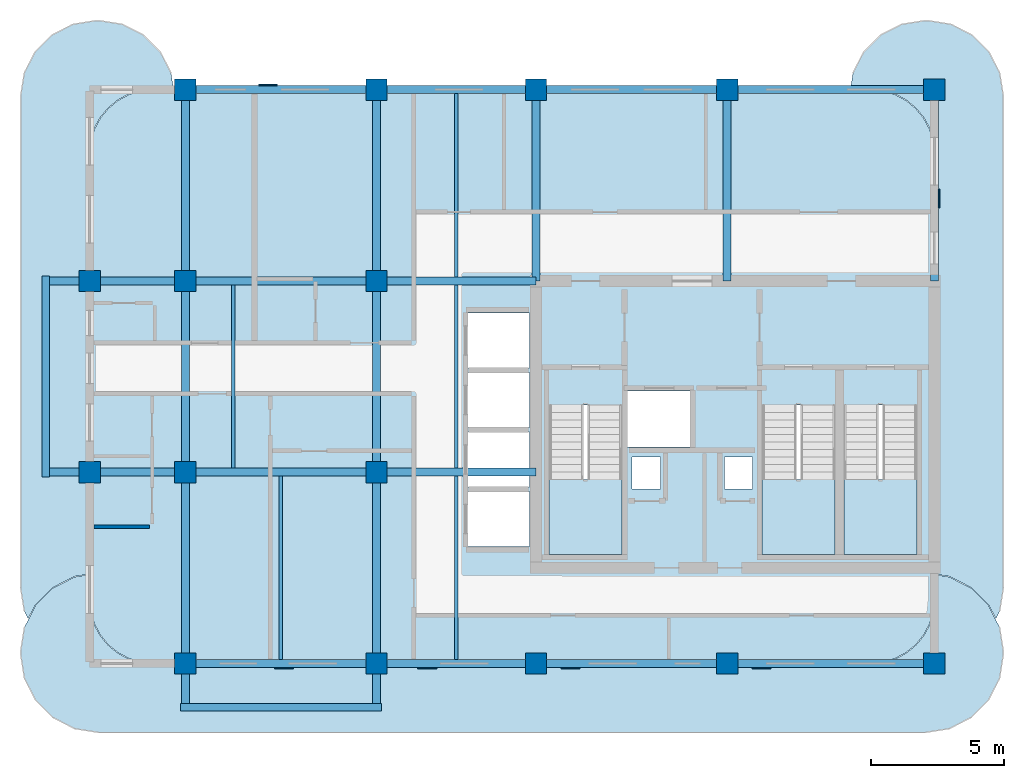
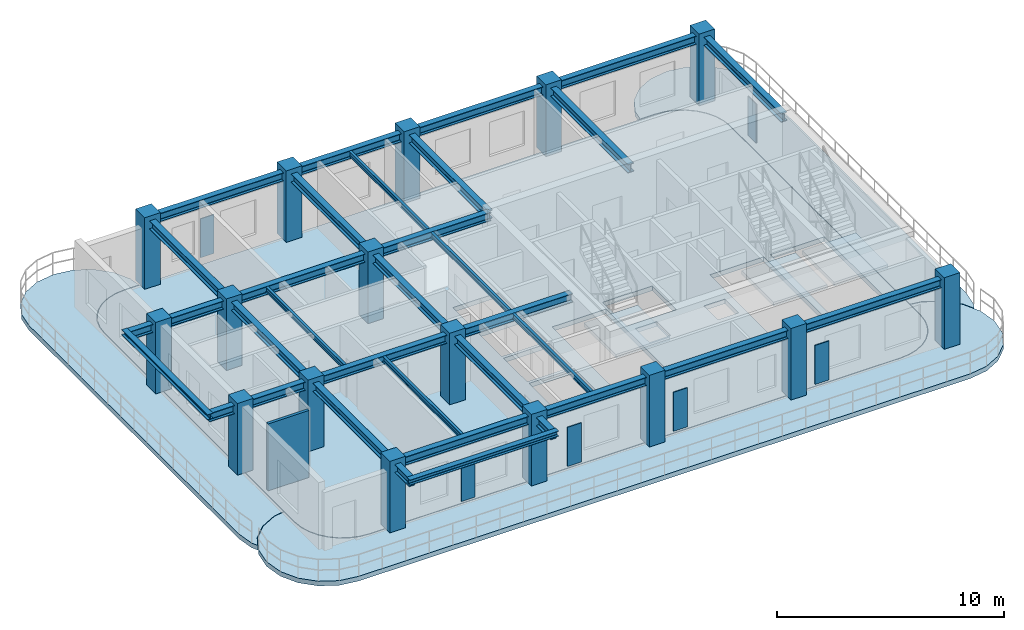
# One storey, part 1 of 7: 28 beams, 16 columns, 7 slabs, 6 plates, 1 wall, 3 elements without a shape of their own.
"""IFC4 building model written with IfcOpenShell, lengths in metres."""

from ifc_helpers import new_model, si_unit, derived_unit, direction, frame, frame_2d, origin, origin_2d, place, context, subcontext, project, spatial, polyline, rectangle, i_section, outline, extrude, source, transform, mapped, material, layer, layer_set, material_profile, profile_set, type_object, type_shapes, element, aggregate, save


model = new_model("IFC4")

# Units and contexts
model_context = context("Model", 3, precision=1e-05, world=origin(), true_north=direction((0.0, 1.0)))
body_context = subcontext(model_context, "Body", "Model", "MODEL_VIEW")
ifc_project = project(units=[si_unit("LENGTHUNIT", "METRE"), si_unit("AREAUNIT", "SQUARE_METRE"), si_unit("VOLUMEUNIT", "CUBIC_METRE"), si_unit("PLANEANGLEUNIT", "RADIAN"), si_unit("MASSUNIT", "GRAM", prefix="KILO"), si_unit("THERMODYNAMICTEMPERATUREUNIT", "KELVIN"), si_unit("POWERUNIT", "WATT"), derived_unit("THERMALTRANSMITTANCEUNIT", [(si_unit("POWERUNIT", "WATT"), 1), (si_unit("AREAUNIT", "SQUARE_METRE"), -1), (si_unit("THERMODYNAMICTEMPERATUREUNIT", "KELVIN"), -1)])], contexts=[model_context])

# Site, building, storey
site_placement = place(None, origin())
site = spatial("IfcSite", under=ifc_project, at=site_placement, CompositionType="ELEMENT")
building_placement = place(site_placement, origin())
building = spatial("IfcBuilding", under=site, at=building_placement, Name="Zahravan Archway Hotel and Residences", CompositionType="ELEMENT")
storey_placement = place(building_placement, frame((0.0, 0.0, 255.800048828125)))
storey = spatial("IfcBuildingStorey", under=building, at=storey_placement, Name="L64", CompositionType="ELEMENT", Elevation=255.800048828125)

# Columns
ifc_material_1 = material(Name="Concrete C50/60", Category="concrete")
ifc_material_profile_1 = material_profile(ifc_material_1, rectangle(XDim=0.800048828125, YDim=0.800048828125, at=origin_2d()), Name="RC-COL-800x800", Category="concrete")
ifc_profile_set_1 = profile_set([ifc_material_profile_1], Name="Concrete C50/60")
column_type = type_object("IfcColumnType", Name="COL-RC-800", PredefinedType="COLUMN", material=ifc_profile_set_1)
shared_shape_1 = source(origin(), body_context, "Body", "SweptSolid", [
    extrude(rectangle(XDim=0.800048828125, YDim=0.800048828125, at=origin_2d()), origin(), (0.0, 0.0, 1.0), 3.849853515625),
])
for number, where, z_axis, x_axis, name in (
    (1, (21.60009765625, 0.0, 0.0), (0.0, 0.0, 1.0), (1.0, 0.0, 0.0), "L64 Column 4-A"),
    (2, (21.60009765625, 7.199951171875, 0.0), (0.0, 0.0, 1.0), (1.0, 0.0, 0.0), "L64 Column 4-B"),
    (3, (21.60009765625, 14.39990234375, 0.0), (0.0, 0.0, 1.0), (1.0, 0.0, 0.0), "L64 Column 4-C"),
    (4, (21.60009765625, 21.60009765625, 0.0), (0.0, 0.0, 1.0), (1.0, 0.0, 0.0), "L64 Column 4-D"),
    (5, (28.800048828125, 0.0, 0.0), (0.0, 0.0, 1.0), (1.0, 0.0, 0.0), "L64 Column 5-A"),
    (6, (28.800048828125, 7.199951171875, 0.0), (0.0, 0.0, 1.0), (1.0, 0.0, 0.0), "L64 Column 5-B"),
    (7, (28.800048828125, 14.39990234375, 0.0), (0.0, 0.0, 1.0), (1.0, 0.0, 0.0), "L64 Column 5-C"),
    (8, (28.800048828125, 21.60009765625, 0.0), (0.0, 0.0, 1.0), (1.0, 0.0, 0.0), "L64 Column 5-D"),
    (9, (34.800048828125, 0.0, 0.0), (0.0, 0.0, 1.0), (1.0, 0.0, 0.0), "L64 Column 6-A"),
    (10, (34.800048828125, 21.60009765625, 0.0), (0.0, 0.0, 1.0), (1.0, 0.0, 0.0), "L64 Column 6-D"),
    (11, (42.0, 0.0, 0.0), (0.0, 0.0, 1.0), (1.0, 0.0, 0.0), "L64 Column 7-A"),
    (12, (42.0, 21.60009765625, 0.0), (0.0, 0.0, 1.0), (1.0, 0.0, 0.0), "L64 Column 7-D"),
    (13, (49.800048828125, 0.0, 0.0), (0.0, 0.0, 1.0), (1.0, 0.0, 0.0), "L64 Column 8-A"),
    (14, (49.800048828125, 21.60009765625, 0.0), (0.0, 0.0, 1.0), (1.0, 0.0, 0.0), "L64 Column 8-D"),
    (15, (18.0, 7.199951171875, 0.0), (0.0, 0.0, 1.0), (1.0, 0.0, 0.0), "L64 Column 3W-B"),
    (16, (18.0, 14.39990234375, 0.0), (0.0, 0.0, 1.0), (1.0, 0.0, 0.0), "L64 Column 3W-C"),
):
    element("IfcColumn", number, at=place(storey_placement, frame(where, z_axis=z_axis, x_axis=x_axis)), inside=storey, type_object=column_type, Name=name, PredefinedType="COLUMN", context=body_context, shape_type="MappedRepresentation", body=[
        mapped(shared_shape_1, transform((0.0, 0.0, 0.0), scale=1.0)),
    ])

# Beams
ifc_material_2 = material(Name="Structural Steel S355JR", Category="steel")
ifc_material_profile_2 = material_profile(ifc_material_2, i_section(OverallWidth=0.280029296875, OverallDepth=0.280029296875, WebThickness=0.010498046875, FlangeThickness=0.01806640625, FilletRadius=0.02392578125, at=origin_2d()), Name="HEB 280", Category="steel")
ifc_profile_set_2 = profile_set([ifc_material_profile_2], Name="Structural Steel S355JR")
beam_type_1 = type_object("IfcBeamType", Name="BM-SPN-HEB280", PredefinedType="SPANDREL", material=ifc_profile_set_2)
shared_shape_2 = source(origin(), body_context, "Body", "SweptSolid", [
    extrude(i_section(OverallWidth=0.280029296875, OverallDepth=0.280029296875, WebThickness=0.010498046875, FlangeThickness=0.01806640625, FilletRadius=0.02392578125, at=origin_2d()), origin(), (0.0, 0.0, 1.0), 7.56005859375),
])
type_shapes(beam_type_1, [shared_shape_2])
for number, where, z_axis, x_axis, name in (
    (17, (16.35009765625, 7.02001953125, 3.4599609375), (0.0, 1.0, 0.0), (-1.0, 0.0, 0.0), "L65 WA Balcony Edge Spandrel"),
    (18, (21.419921875, -1.64990234375, 3.4599609375), (1.0, 0.0, 0.0), (0.0, 1.0, 0.0), "L65 SA Balcony Edge Spandrel"),
):
    element("IfcBeam", number, at=place(storey_placement, frame(where, z_axis=z_axis, x_axis=x_axis)), inside=storey, type_object=beam_type_1, Name=name, PredefinedType="SPANDREL", context=body_context, shape_type="MappedRepresentation", body=[
        mapped(shared_shape_2, transform((0.0, 0.0, 0.0), scale=1.0)),
    ])
ifc_material_profile_3 = material_profile(ifc_material_2, i_section(OverallWidth=0.300048828125, OverallDepth=0.449951171875, WebThickness=0.013916015625, FlangeThickness=0.02587890625, FilletRadius=0.027099609375, at=origin_2d()), Name="HEB 450", Category="steel")
ifc_profile_set_3 = profile_set([ifc_material_profile_3], Name="Structural Steel S355JR")
beam_type_2 = type_object("IfcBeamType", Name="BM-PRI-HEB450", PredefinedType="BEAM", material=ifc_profile_set_3)
shared_shape_3 = source(origin(), body_context, "Body", "SweptSolid", [
    extrude(i_section(OverallWidth=0.300048828125, OverallDepth=0.449951171875, WebThickness=0.013916015625, FlangeThickness=0.02587890625, FilletRadius=0.027099609375, at=origin_2d()), origin(), (0.0, 0.0, 1.0), 7.2001953125),
])
type_shapes(beam_type_2, [shared_shape_3])
for number, where, z_axis, x_axis, name in (
    (19, (21.60009765625, 14.39990234375, 3.375), (0.0, 1.0, 0.0), (-1.0, 0.0, 0.0), "L64 Primary Girder NS-15"),
    (20, (28.800048828125, 14.39990234375, 3.375), (0.0, 1.0, 0.0), (-1.0, 0.0, 0.0), "L64 Primary Girder NS-18"),
    (21, (34.800048828125, 14.39990234375, 3.375), (0.0, 1.0, 0.0), (-1.0, 0.0, 0.0), "L64 Primary Girder NS-19"),
    (22, (42.0, 14.39990234375, 3.375), (0.0, 1.0, 0.0), (-1.0, 0.0, 0.0), "L64 Primary Girder NS-20"),
    (23, (49.800048828125, 14.39990234375, 3.375), (0.0, 1.0, 0.0), (-1.0, 0.0, 0.0), "L64 Primary Girder NS-21"),
):
    element("IfcBeam", number, at=place(storey_placement, frame(where, z_axis=z_axis, x_axis=x_axis)), inside=storey, type_object=beam_type_2, Name=name, PredefinedType="BEAM", context=body_context, shape_type="MappedRepresentation", body=[
        mapped(shared_shape_3, transform((0.0, 0.0, 0.0), scale=1.0)),
    ])
shared_shape_4 = source(origin(), body_context, "Body", "SweptSolid", [
    extrude(i_section(OverallWidth=0.300048828125, OverallDepth=0.449951171875, WebThickness=0.013916015625, FlangeThickness=0.02587890625, FilletRadius=0.027099609375, at=origin_2d()), origin(), (0.0, 0.0, 1.0), 7.199951171875),
])
for number, where, z_axis, x_axis, name in (
    (24, (21.60009765625, 0.0, 3.375), (1.0, 0.0, 0.0), (0.0, 1.0, 0.0), "L64 Primary Girder EW-01"),
    (25, (34.800048828125, 0.0, 3.375), (1.0, 0.0, 0.0), (0.0, 1.0, 0.0), "L64 Primary Girder EW-03"),
    (26, (21.60009765625, 21.60009765625, 3.375), (1.0, 0.0, 0.0), (0.0, 1.0, 0.0), "L64 Primary Girder EW-09"),
    (27, (34.800048828125, 21.60009765625, 3.375), (1.0, 0.0, 0.0), (0.0, 1.0, 0.0), "L64 Primary Girder EW-11"),
    (28, (21.60009765625, 7.199951171875, 3.375), (0.0, 1.0, 0.0), (-1.0, 0.0, 0.0), "L64 Primary Girder NS-14"),
    (29, (28.800048828125, 7.199951171875, 3.375), (0.0, 1.0, 0.0), (-1.0, 0.0, 0.0), "L64 Primary Girder NS-17"),
):
    element("IfcBeam", number, at=place(storey_placement, frame(where, z_axis=z_axis, x_axis=x_axis)), inside=storey, type_object=beam_type_2, Name=name, PredefinedType="BEAM", context=body_context, shape_type="MappedRepresentation", body=[
        mapped(shared_shape_4, transform((0.0, 0.0, 0.0), scale=1.0)),
    ])
shared_shape_5 = source(origin(), body_context, "Body", "SweptSolid", [
    extrude(i_section(OverallWidth=0.300048828125, OverallDepth=0.449951171875, WebThickness=0.013916015625, FlangeThickness=0.02587890625, FilletRadius=0.027099609375, at=origin_2d()), origin(), (0.0, 0.0, 1.0), 6.0),
])
for number, where, z_axis, x_axis, name in (
    (30, (28.800048828125, 0.0, 3.375), (1.0, 0.0, 0.0), (0.0, 1.0, 0.0), "L64 Primary Girder EW-02"),
    (31, (28.800048828125, 7.199951171875, 3.375), (1.0, 0.0, 0.0), (0.0, 1.0, 0.0), "L64 Primary Girder EW-06"),
    (32, (28.800048828125, 14.39990234375, 3.375), (1.0, 0.0, 0.0), (0.0, 1.0, 0.0), "L64 Primary Girder EW-08"),
    (33, (28.800048828125, 21.60009765625, 3.375), (1.0, 0.0, 0.0), (0.0, 1.0, 0.0), "L64 Primary Girder EW-10"),
):
    element("IfcBeam", number, at=place(storey_placement, frame(where, z_axis=z_axis, x_axis=x_axis)), inside=storey, type_object=beam_type_2, Name=name, PredefinedType="BEAM", context=body_context, shape_type="MappedRepresentation", body=[
        mapped(shared_shape_5, transform((0.0, 0.0, 0.0), scale=1.0)),
    ])
shared_shape_6 = source(origin(), body_context, "Body", "SweptSolid", [
    extrude(i_section(OverallWidth=0.300048828125, OverallDepth=0.449951171875, WebThickness=0.013916015625, FlangeThickness=0.02587890625, FilletRadius=0.027099609375, at=origin_2d()), origin(), (0.0, 0.0, 1.0), 7.800048828125),
])
for number, where, z_axis, x_axis, name in (
    (34, (42.0, 0.0, 3.375), (1.0, 0.0, 0.0), (0.0, 1.0, 0.0), "L64 Primary Girder EW-04"),
    (35, (42.0, 21.60009765625, 3.375), (1.0, 0.0, 0.0), (0.0, 1.0, 0.0), "L64 Primary Girder EW-12"),
):
    element("IfcBeam", number, at=place(storey_placement, frame(where, z_axis=z_axis, x_axis=x_axis)), inside=storey, type_object=beam_type_2, Name=name, PredefinedType="BEAM", context=body_context, shape_type="MappedRepresentation", body=[
        mapped(shared_shape_6, transform((0.0, 0.0, 0.0), scale=1.0)),
    ])
ifc_material_profile_4 = material_profile(ifc_material_2, i_section(OverallWidth=0.135009765625, OverallDepth=0.27001953125, WebThickness=0.006591796875, FlangeThickness=0.01025390625, FilletRadius=0.014892578125, at=origin_2d()), Name="IPE 270", Category="steel")
ifc_profile_set_4 = profile_set([ifc_material_profile_4], Name="Structural Steel S355JR")
beam_type_3 = type_object("IfcBeamType", Name="BM-JST-IPE270", PredefinedType="JOIST", material=ifc_profile_set_4)
shared_shape_7 = source(origin(), body_context, "Body", "SweptSolid", [
    extrude(i_section(OverallWidth=0.135009765625, OverallDepth=0.27001953125, WebThickness=0.006591796875, FlangeThickness=0.01025390625, FilletRadius=0.014892578125, at=origin_2d()), origin(), (0.0, 0.0, 1.0), 6.904052734375),
])
type_shapes(beam_type_3, [shared_shape_7])
for number, where, z_axis, x_axis, name in (
    (36, (25.199951171875, 0.14794921875, 3.46484375), (0.0, 1.0, 0.0), (-1.0, 0.0, 0.0), "L64 Composite Floor Joist 01"),
    (37, (31.800048828125, 0.14794921875, 3.46484375), (0.0, 1.0, 0.0), (-1.0, 0.0, 0.0), "L64 Composite Floor Joist 02"),
    (38, (23.39990234375, 7.347900390625, 3.46484375), (0.0, 1.0, 0.0), (-1.0, 0.0, 0.0), "L64 Composite Floor Joist 03"),
    (39, (31.800048828125, 7.347900390625, 3.46484375), (0.0, 1.0, 0.0), (-1.0, 0.0, 0.0), "L64 Composite Floor Joist 04"),
):
    element("IfcBeam", number, at=place(storey_placement, frame(where, z_axis=z_axis, x_axis=x_axis)), inside=storey, type_object=beam_type_3, Name=name, PredefinedType="JOIST", context=body_context, shape_type="MappedRepresentation", body=[
        mapped(shared_shape_7, transform((0.0, 0.0, 0.0), scale=1.0)),
    ])
shared_shape_8 = source(origin(), body_context, "Body", "SweptSolid", [
    extrude(i_section(OverallWidth=0.135009765625, OverallDepth=0.27001953125, WebThickness=0.006591796875, FlangeThickness=0.01025390625, FilletRadius=0.014892578125, at=origin_2d()), origin(), (0.0, 0.0, 1.0), 6.90380859375),
])
beam_placement = place(storey_placement, frame((31.800048828125, 14.548095703125, 3.46484375), z_axis=(0.0, 1.0, 0.0), x_axis=(-1.0, 0.0, 0.0)))
element("IfcBeam", 40, at=beam_placement, inside=storey, type_object=beam_type_3, Name="L64 Composite Floor Joist 05", PredefinedType="JOIST", context=body_context, shape_type="MappedRepresentation", body=[
    mapped(shared_shape_8, transform((0.0, 0.0, 0.0), scale=1.0)),
])
shared_shape_9 = source(origin(), body_context, "Body", "SweptSolid", [
    extrude(i_section(OverallWidth=0.300048828125, OverallDepth=0.449951171875, WebThickness=0.013916015625, FlangeThickness=0.02587890625, FilletRadius=0.027099609375, at=origin_2d()), origin(), (0.0, 0.0, 1.0), 8.849853515625),
])
for number, where, z_axis, x_axis, name in (
    (41, (21.60009765625, -1.64990234375, 3.375), (0.0, 1.0, 0.0), (-1.0, 0.0, 0.0), "L64 Primary Girder NS-13"),
    (42, (28.800048828125, -1.64990234375, 3.375), (0.0, 1.0, 0.0), (-1.0, 0.0, 0.0), "L64 Primary Girder NS-16"),
):
    element("IfcBeam", number, at=place(storey_placement, frame(where, z_axis=z_axis, x_axis=x_axis)), inside=storey, type_object=beam_type_2, Name=name, PredefinedType="BEAM", context=body_context, shape_type="MappedRepresentation", body=[
        mapped(shared_shape_9, transform((0.0, 0.0, 0.0), scale=1.0)),
    ])
shared_shape_10 = source(origin(), body_context, "Body", "SweptSolid", [
    extrude(i_section(OverallWidth=0.300048828125, OverallDepth=0.449951171875, WebThickness=0.013916015625, FlangeThickness=0.02587890625, FilletRadius=0.027099609375, at=origin_2d()), origin(), (0.0, 0.0, 1.0), 12.449951171875),
])
for number, where, z_axis, x_axis, name in (
    (43, (16.35009765625, 7.199951171875, 3.375), (1.0, 0.0, 0.0), (0.0, 1.0, 0.0), "L64 Primary Girder EW-05"),
    (44, (16.35009765625, 14.39990234375, 3.375), (1.0, 0.0, 0.0), (0.0, 1.0, 0.0), "L64 Primary Girder EW-07"),
):
    element("IfcBeam", number, at=place(storey_placement, frame(where, z_axis=z_axis, x_axis=x_axis)), inside=storey, type_object=beam_type_2, Name=name, PredefinedType="BEAM", context=body_context, shape_type="MappedRepresentation", body=[
        mapped(shared_shape_10, transform((0.0, 0.0, 0.0), scale=1.0)),
    ])

# Slabs
ifc_material_3 = material(Name="Concrete C45/55", Category="concrete")
ifc_layer_1 = layer(ifc_material_3, 0.25, Name="Concrete C45/55", Category="concrete")
ifc_layer_set_1 = layer_set([ifc_layer_1], Name="Concrete C45/55")
slab_type_1 = type_object("IfcSlabType", Name="SLB-BALC-250", PredefinedType="FLOOR", material=ifc_layer_set_1)
slab_1_placement = place(storey_placement, frame((0.0, 0.0, -0.25)))
element("IfcSlab", 45, at=slab_1_placement, inside=storey, type_object=slab_type_1, Name="L64 Wing A South Rounded Balcony Band", PredefinedType="FLOOR", context=body_context, shape_type="SweptSolid", body=[
    extrude(outline(polyline([(50.361572265625, 3.255615234375), (51.18408203125, 2.836669921875), (51.836669921875, 2.18408203125), (52.255615234375, 1.361572265625), (52.39990234375, 0.449951171875), (52.39990234375, 0.35009765625), (52.255615234375, -0.5615234375), (51.836669921875, -1.384033203125), (51.18408203125, -2.03662109375), (50.361572265625, -2.45556640625), (49.449951171875, -2.60009765625), (18.35009765625, -2.60009765625), (17.4384765625, -2.45556640625), (16.615966796875, -2.03662109375), (15.96337890625, -1.384033203125), (15.54443359375, -0.5615234375), (15.39990234375, 0.35009765625), (15.39990234375, 0.449951171875), (15.54443359375, 1.361572265625), (15.96337890625, 2.18408203125), (16.615966796875, 2.836669921875), (17.4384765625, 3.255615234375), (17.97998046875, 3.34130859375), (17.97998046875, 2.39990234375), (17.97998046875, 2.39794921875), (18.026123046875, 1.9296875), (18.026611328125, 1.927978515625), (18.027099609375, 1.926025390625), (18.16357421875, 1.475830078125), (18.164306640625, 1.473876953125), (18.1650390625, 1.47216796875), (18.386962890625, 1.05712890625), (18.387939453125, 1.055419921875), (18.388916015625, 1.053955078125), (18.6875, 0.690185546875), (18.688720703125, 0.688720703125), (18.690185546875, 0.6875), (19.053955078125, 0.388916015625), (19.055419921875, 0.387939453125), (19.05712890625, 0.386962890625), (19.47216796875, 0.1650390625), (19.473876953125, 0.164306640625), (19.475830078125, 0.16357421875), (19.926025390625, 0.027099609375), (19.927978515625, 0.026611328125), (19.9296875, 0.026123046875), (20.39794921875, -0.02001953125), (20.39990234375, -0.02001953125), (47.39990234375, -0.02001953125), (47.402099609375, -0.02001953125), (47.8701171875, 0.026123046875), (47.8720703125, 0.026611328125), (47.8740234375, 0.027099609375), (48.32421875, 0.16357421875), (48.326171875, 0.164306640625), (48.327880859375, 0.1650390625), (48.742919921875, 0.386962890625), (48.744384765625, 0.387939453125), (48.74609375, 0.388916015625), (49.10986328125, 0.6875), (49.111083984375, 0.688720703125), (49.112548828125, 0.690185546875), (49.410888671875, 1.053955078125), (49.412109375, 1.055419921875), (49.4130859375, 1.05712890625), (49.635009765625, 1.47216796875), (49.6357421875, 1.473876953125), (49.636474609375, 1.475830078125), (49.77294921875, 1.926025390625), (49.7734375, 1.927978515625), (49.773681640625, 1.9296875), (49.81982421875, 2.39794921875), (49.820068359375, 2.39990234375), (49.820068359375, 3.34130859375), (50.361572265625, 3.255615234375)])), origin(), (0.0, 0.0, 1.0), 0.25),
])
slab_2_placement = place(storey_placement, frame((0.0, 0.0, -0.25)))
element("IfcSlab", 46, at=slab_2_placement, inside=storey, type_object=slab_type_1, Name="L64 Wing A East Rounded Balcony Band", PredefinedType="FLOOR", context=body_context, shape_type="SweptSolid", body=[
    extrude(outline(polyline([(46.739501953125, 22.230712890625), (47.144287109375, 23.025146484375), (47.77490234375, 23.65576171875), (48.5693359375, 24.060546875), (49.449951171875, 24.199951171875), (49.550048828125, 24.199951171875), (50.4306640625, 24.060546875), (51.22509765625, 23.65576171875), (51.855712890625, 23.025146484375), (52.260498046875, 22.230712890625), (52.39990234375, 21.35009765625), (52.39990234375, 2.85009765625), (52.260498046875, 1.96923828125), (52.114501953125, 1.6826171875), (51.8544921875, 2.193115234375), (51.853515625, 2.19482421875), (51.85205078125, 2.196533203125), (51.8505859375, 2.197998046875), (51.197998046875, 2.8505859375), (51.196533203125, 2.85205078125), (51.19482421875, 2.853515625), (51.193115234375, 2.8544921875), (50.37060546875, 3.2734375), (50.368896484375, 3.2744140625), (50.36669921875, 3.27490234375), (50.36474609375, 3.275390625), (49.822998046875, 3.361083984375), (49.8212890625, 3.361328125), (49.820068359375, 3.361328125), (49.820068359375, 19.199951171875), (49.81982421875, 19.201904296875), (49.773681640625, 19.670166015625), (49.7734375, 19.672119140625), (49.77294921875, 19.674072265625), (49.636474609375, 20.124267578125), (49.6357421875, 20.126220703125), (49.635009765625, 20.127685546875), (49.4130859375, 20.542724609375), (49.412109375, 20.54443359375), (49.410888671875, 20.546142578125), (49.112548828125, 20.909912109375), (49.111083984375, 20.9111328125), (49.10986328125, 20.91259765625), (48.74609375, 21.2109375), (48.744384765625, 21.212158203125), (48.742919921875, 21.213134765625), (48.327880859375, 21.434814453125), (48.326171875, 21.435791015625), (48.32421875, 21.436279296875), (47.8740234375, 21.572998046875), (47.8720703125, 21.573486328125), (47.8701171875, 21.57373046875), (47.402099609375, 21.619873046875), (47.39990234375, 21.6201171875), (46.642822265625, 21.6201171875), (46.739501953125, 22.230712890625)])), origin(), (0.0, 0.0, 1.0), 0.25),
])
slab_3_placement = place(storey_placement, frame((0.0, 0.0, -0.25)))
element("IfcSlab", 47, at=slab_3_placement, inside=storey, type_object=slab_type_1, Name="L64 Wing A West Rounded Balcony Band", PredefinedType="FLOOR", context=body_context, shape_type="SweptSolid", body=[
    extrude(outline(polyline([(15.53955078125, 1.96923828125), (15.39990234375, 2.85009765625), (15.39990234375, 21.35009765625), (15.53955078125, 22.230712890625), (15.9443359375, 23.025146484375), (16.57470703125, 23.65576171875), (17.369384765625, 24.060546875), (18.25, 24.199951171875), (18.35009765625, 24.199951171875), (19.230712890625, 24.060546875), (20.025146484375, 23.65576171875), (20.65576171875, 23.025146484375), (21.060546875, 22.230712890625), (21.1572265625, 21.6201171875), (20.39990234375, 21.6201171875), (20.39794921875, 21.619873046875), (19.9296875, 21.57373046875), (19.927978515625, 21.573486328125), (19.926025390625, 21.572998046875), (19.475830078125, 21.436279296875), (19.473876953125, 21.435791015625), (19.47216796875, 21.434814453125), (19.05712890625, 21.213134765625), (19.055419921875, 21.212158203125), (19.053955078125, 21.2109375), (18.690185546875, 20.91259765625), (18.688720703125, 20.9111328125), (18.6875, 20.909912109375), (18.388916015625, 20.546142578125), (18.387939453125, 20.54443359375), (18.386962890625, 20.542724609375), (18.1650390625, 20.127685546875), (18.164306640625, 20.126220703125), (18.16357421875, 20.124267578125), (18.027099609375, 19.674072265625), (18.026611328125, 19.672119140625), (18.026123046875, 19.670166015625), (17.97998046875, 19.201904296875), (17.97998046875, 19.199951171875), (17.97998046875, 3.361328125), (17.978759765625, 3.361328125), (17.976806640625, 3.361083984375), (17.435302734375, 3.275390625), (17.43310546875, 3.27490234375), (17.43115234375, 3.2744140625), (17.42919921875, 3.2734375), (16.60693359375, 2.8544921875), (16.60498046875, 2.853515625), (16.603515625, 2.85205078125), (16.601806640625, 2.8505859375), (15.94921875, 2.197998046875), (15.947998046875, 2.196533203125), (15.946533203125, 2.19482421875), (15.945556640625, 2.193115234375), (15.685546875, 1.6826171875), (15.53955078125, 1.96923828125)])), origin(), (0.0, 0.0, 1.0), 0.25),
])
ifc_layer_2 = layer(ifc_material_3, 0.25, Name="Concrete C45/55", Category="concrete")
ifc_layer_set_2 = layer_set([ifc_layer_2], Name="Concrete C45/55")
slab_type_2 = type_object("IfcSlabType", Name="SLB-FLR-250", PredefinedType="FLOOR", material=ifc_layer_set_2)
slab_4_placement = place(storey_placement, frame((0.0, 0.0, -0.25)))
element("IfcSlab", 48, at=slab_4_placement, inside=storey, type_object=slab_type_2, Name="L64 Floor Slab WA", PredefinedType="FLOOR", context=body_context, shape_type="SweptSolid", body=[
    extrude(outline(polyline([(47.39990234375, 0.0), (47.8681640625, 0.046142578125), (48.318359375, 0.1826171875), (48.7333984375, 0.404541015625), (49.09716796875, 0.702880859375), (49.3955078125, 1.066650390625), (49.6171875, 1.481689453125), (49.75390625, 1.931884765625), (49.800048828125, 2.39990234375), (49.800048828125, 19.199951171875), (49.75390625, 19.668212890625), (49.6171875, 20.118408203125), (49.3955078125, 20.533447265625), (49.09716796875, 20.897216796875), (48.7333984375, 21.195556640625), (48.318359375, 21.417236328125), (47.8681640625, 21.553955078125), (47.39990234375, 21.60009765625), (20.39990234375, 21.60009765625), (19.931884765625, 21.553955078125), (19.481689453125, 21.417236328125), (19.066650390625, 21.195556640625), (18.702880859375, 20.897216796875), (18.404541015625, 20.533447265625), (18.1826171875, 20.118408203125), (18.046142578125, 19.668212890625), (18.0, 19.199951171875), (18.0, 2.39990234375), (18.046142578125, 1.931884765625), (18.1826171875, 1.481689453125), (18.404541015625, 1.066650390625), (18.702880859375, 0.702880859375), (19.066650390625, 0.404541015625), (19.481689453125, 0.1826171875), (19.931884765625, 0.046142578125), (20.39990234375, 0.0), (47.39990234375, 0.0)]), holes=[polyline([(35.300048828125, 9.72998046875), (35.300048828125, 4.10009765625), (38.0400390625, 4.10009765625), (38.0400390625, 9.72998046875), (35.300048828125, 9.72998046875)]), polyline([(43.320068359375, 9.72998046875), (43.320068359375, 4.10009765625), (46.06005859375, 4.10009765625), (46.06005859375, 9.72998046875), (43.320068359375, 9.72998046875)]), polyline([(46.39990234375, 9.72998046875), (46.39990234375, 4.10009765625), (49.139892578125, 4.10009765625), (49.139892578125, 9.72998046875), (46.39990234375, 9.72998046875)]), polyline([(38.179931640625, 8.14990234375), (40.699951171875, 8.14990234375), (40.699951171875, 10.25), (38.179931640625, 10.25), (38.179931640625, 8.14990234375)]), polyline([(32.25, 4.39990234375), (34.550048828125, 4.39990234375), (34.550048828125, 6.47998046875), (32.25, 6.47998046875), (32.25, 4.39990234375)]), polyline([(32.25, 6.639892578125), (34.550048828125, 6.639892578125), (34.550048828125, 8.719970703125), (32.25, 8.719970703125), (32.25, 6.639892578125)]), polyline([(32.25, 8.8798828125), (34.550048828125, 8.8798828125), (34.550048828125, 10.9599609375), (32.25, 10.9599609375), (32.25, 8.8798828125)]), polyline([(32.25, 11.1201171875), (34.550048828125, 11.1201171875), (34.550048828125, 13.199951171875), (32.25, 13.199951171875), (32.25, 11.1201171875)]), polyline([(38.419921875, 6.56005859375), (39.5, 6.56005859375), (39.5, 7.780029296875), (38.419921875, 7.780029296875), (38.419921875, 6.56005859375)]), polyline([(41.89990234375, 6.56005859375), (42.9599609375, 6.56005859375), (42.9599609375, 7.780029296875), (41.89990234375, 7.780029296875), (41.89990234375, 6.56005859375)])]), origin(), (0.0, 0.0, 1.0), 0.25),
])

# Stair, slab
stair_type = type_object("IfcStairType", Name="STR-CORE-1300", PredefinedType="HALF_TURN_STAIR", material=ifc_material_1)
stair_1_placement = place(storey_placement, origin())
stair_1 = element("IfcStair", 49, at=stair_1_placement, inside=storey, type_object=stair_type, Name="L64 Core A Exit Stair 1", PredefinedType="HALF_TURN_STAIR")
ifc_layer_3 = layer(ifc_material_1, 0.199951171875, Name="Concrete C50/60", Category="concrete")
ifc_layer_set_3 = layer_set([ifc_layer_3], Name="Concrete C50/60")
slab_type_3 = type_object("IfcSlabType", Name="SLB-LND-200", PredefinedType="LANDING", material=ifc_layer_set_3)
slab_5_placement = place(storey_placement, frame((0.0, 0.0, 1.724853515625)))
slab_5 = element("IfcSlab", 50, at=slab_5_placement, type_object=slab_type_3, Name="ST-A1 landing 1", PredefinedType="LANDING", context=body_context, shape_type="SweptSolid", body=[
    extrude(outline(polyline([(35.300048828125, 6.929931640625), (35.300048828125, 4.10009765625), (38.0400390625, 4.10009765625), (38.0400390625, 6.929931640625), (35.300048828125, 6.929931640625)])), origin(), (0.0, 0.0, 1.0), 0.2001953125),
])
aggregate(stair_1, [slab_5])

stair_2_placement = place(storey_placement, origin())
stair_2 = element("IfcStair", 51, at=stair_2_placement, inside=storey, type_object=stair_type, Name="L64 Core A Exit Stair 2", PredefinedType="HALF_TURN_STAIR")
slab_6_placement = place(storey_placement, frame((0.0, 0.0, 1.724853515625)))
slab_6 = element("IfcSlab", 52, at=slab_6_placement, type_object=slab_type_3, Name="ST-A2 landing 1", PredefinedType="LANDING", context=body_context, shape_type="SweptSolid", body=[
    extrude(outline(polyline([(43.320068359375, 6.929931640625), (43.320068359375, 4.10009765625), (46.06005859375, 4.10009765625), (46.06005859375, 6.929931640625), (43.320068359375, 6.929931640625)])), origin(), (0.0, 0.0, 1.0), 0.2001953125),
])
aggregate(stair_2, [slab_6])

stair_3_placement = place(storey_placement, origin())
stair_3 = element("IfcStair", 53, at=stair_3_placement, inside=storey, type_object=stair_type, Name="L64 Core A Exit Stair 3", PredefinedType="HALF_TURN_STAIR")
slab_7_placement = place(storey_placement, frame((0.0, 0.0, 1.724853515625)))
slab_7 = element("IfcSlab", 54, at=slab_7_placement, type_object=slab_type_3, Name="ST-A3 landing 1", PredefinedType="LANDING", context=body_context, shape_type="SweptSolid", body=[
    extrude(outline(polyline([(46.39990234375, 6.929931640625), (46.39990234375, 4.10009765625), (49.139892578125, 4.10009765625), (49.139892578125, 6.929931640625), (46.39990234375, 6.929931640625)])), origin(), (0.0, 0.0, 1.0), 0.2001953125),
])
aggregate(stair_3, [slab_7])

# Plates
ifc_material_4 = material(Name="Perforated Cast Bronze Jali Lattice")
ifc_layer_4 = layer(ifc_material_4, 0.044921875, Name="Perforated Cast Bronze Jali Lattice")
ifc_layer_set_4 = layer_set([ifc_layer_4], Name="Perforated Cast Bronze Jali Lattice")
plate_type = type_object("IfcPlateType", Name="PLT-JALI-BAY", PredefinedType="USERDEFINED", material=ifc_layer_set_4)
shared_shape_11 = source(origin(), body_context, "Body", "SweptSolid", [
    extrude(rectangle(XDim=0.699951171875, YDim=0.044921875, at=origin_2d()), origin(), (0.0, 0.0, 1.0), 2.10009765625),
])
type_shapes(plate_type, [shared_shape_11])
for number, where, z_axis, x_axis, name in (
    (55, (25.30810546875, -0.177978515625, 0.25), (0.0, 0.0, 1.0), (1.0, 0.0, 0.0), "L64 Perforated Bronze Jali Pier Screen 01"),
    (56, (30.7080078125, -0.177978515625, 0.25), (0.0, 0.0, 1.0), (1.0, 0.0, 0.0), "L64 Perforated Bronze Jali Pier Screen 02"),
    (57, (36.10009765625, -0.177978515625, 0.25), (0.0, 0.0, 1.0), (1.0, 0.0, 0.0), "L64 Perforated Bronze Jali Pier Screen 03"),
    (58, (43.300048828125, -0.177978515625, 0.25), (0.0, 0.0, 1.0), (1.0, 0.0, 0.0), "L64 Perforated Bronze Jali Pier Screen 04"),
    (59, (49.97802734375, 17.509033203125, 0.25), (0.0, 0.0, 1.0), (0.0, 1.0, 0.0), "L64 Perforated Bronze Jali Pier Screen 05"),
    (60, (24.7080078125, 21.778076171875, 0.25), (0.0, 0.0, 1.0), (1.0, 0.0, 0.0), "L64 Perforated Bronze Jali Pier Screen 06"),
):
    element("IfcPlate", number, at=place(storey_placement, frame(where, z_axis=z_axis, x_axis=x_axis)), inside=storey, type_object=plate_type, Name=name, ObjectType="SCREEN", PredefinedType="USERDEFINED", context=body_context, shape_type="MappedRepresentation", body=[
        mapped(shared_shape_11, transform((0.0, 0.0, 0.0), scale=1.0)),
    ])

# Wall
ifc_material_5 = material(Name="Moisture-Resistant Blockwork", Category="masonry")
ifc_layer_5 = layer(ifc_material_5, 0.139892578125, Name="Moisture-Resistant Blockwork", Category="masonry")
ifc_layer_set_5 = layer_set([ifc_layer_5], Name="Moisture-Resistant Blockwork")
wall_type = type_object("IfcWallType", Name="PW-WET-140", PredefinedType="PARTITIONING", material=ifc_layer_set_5)
wall_placement = place(storey_placement, frame((18.16796875, 5.14990234375, 0.0), z_axis=(0.0, 0.0, 1.0), x_axis=(1.0, 0.0, 0.0)))
element("IfcWall", 61, at=wall_placement, inside=storey, type_object=wall_type, Name="L64 Partition FL-S1-KH", PredefinedType="PARTITIONING", context=body_context, shape_type="SweptSolid", body=[
    extrude(rectangle(XDim=2.092041015625, YDim=0.139892578125, at=frame_2d((1.0458984375, 0.0))), origin(), (0.0, 0.0, 1.0), 3.599853515625),
])

save(model, "model.ifc")
